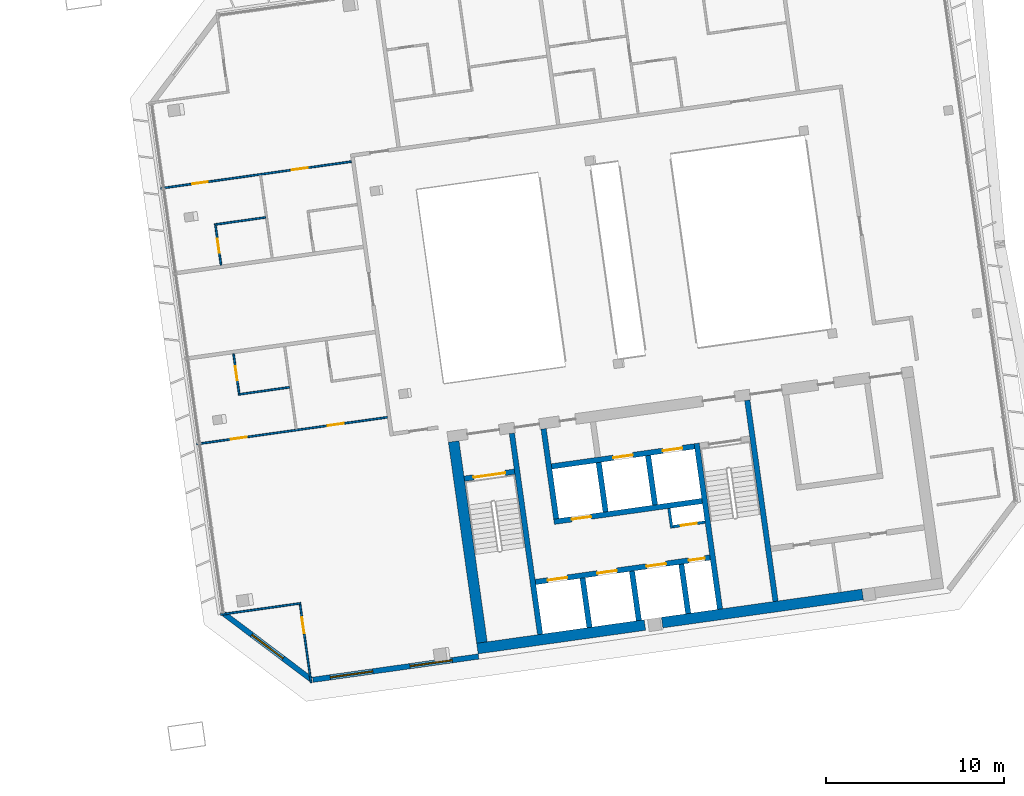
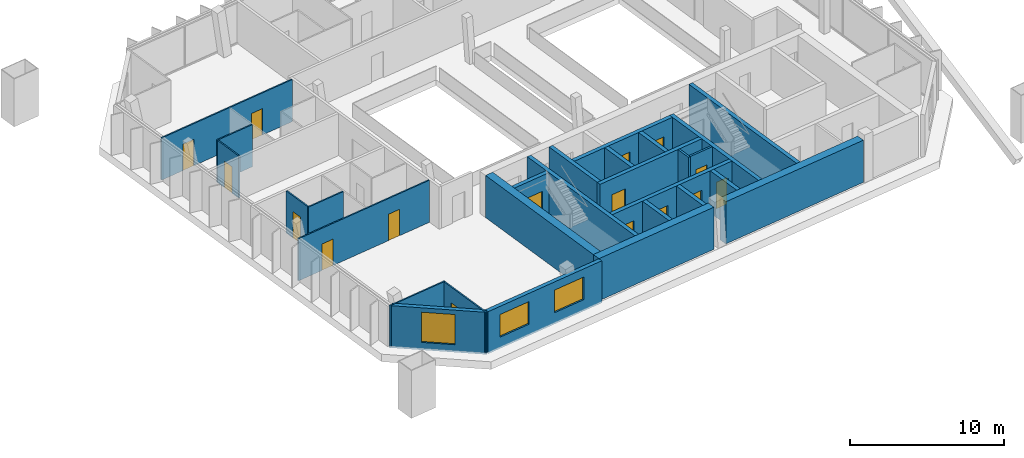
# One storey, part 14 of 19: 28 walls, 16 doors, 3 windows, 19 openings.
"""IFC4 building model written with IfcOpenShell, lengths in metres."""

from ifc_helpers import new_model, si_unit, direction, frame, frame_2d, origin, place, context, subcontext, project, spatial, rectangle, extrude, material, layer, layer_set, type_object, element, fill, save


model = new_model("IFC4")

# Units and contexts
model_context = context("Model", 3, precision=1e-05, world=origin(), true_north=direction((0.0, 1.0)))
body_context = subcontext(model_context, "Body", "Model", "MODEL_VIEW")
ifc_project = project(units=[si_unit("LENGTHUNIT", "METRE"), si_unit("AREAUNIT", "SQUARE_METRE"), si_unit("VOLUMEUNIT", "CUBIC_METRE"), si_unit("PLANEANGLEUNIT", "RADIAN"), si_unit("MASSUNIT", "GRAM", prefix="KILO")], contexts=[model_context])

# Site, building, storey
site_placement = place(None, origin())
site = spatial("IfcSite", under=ifc_project, at=site_placement, CompositionType="ELEMENT")
building_placement = place(site_placement, origin())
building = spatial("IfcBuilding", under=site, at=building_placement, Name="Mirante Cascada Hotel Towers", CompositionType="ELEMENT")
storey_placement = place(building_placement, frame((0.0, 0.0, 239.4)))
storey = spatial("IfcBuildingStorey", under=building, at=storey_placement, Name="L57", CompositionType="ELEMENT", Elevation=239.4)

# Wall
ifc_material_1 = material(Name="Masonry block", Category="masonry")
ifc_layer_1 = layer(ifc_material_1, 0.15)
ifc_layer_set_1 = layer_set([ifc_layer_1], Name="Core room partition 150 block EI 30")
wall_type_1 = type_object("IfcWallType", Name="Core room partition 150 block EI 30", PredefinedType="PARTITIONING", material=ifc_layer_set_1)
wall_1_placement = place(storey_placement, frame((48.2295, -12.793, 0.0), z_axis=(0.0, 0.0, 1.0), x_axis=(-0.1391935, 0.9902652, 0.0)))
element("IfcWall", 1, at=wall_1_placement, inside=storey, type_object=wall_type_1, Name="Core wall partition T2 L57 2", PredefinedType="PARTITIONING", context=body_context, shape_type="SweptSolid", body=[
    extrude(rectangle(XDim=1.1251, YDim=0.15, at=frame_2d((0.5626, 0.0))), origin(), (0.0, 0.0, 1.0), 3.35),
])

# Wall, opening, door
wall_2_placement = place(storey_placement, frame((48.2933, -12.7083, 0.0), z_axis=(0.0, 0.0, 1.0), x_axis=(0.990268, 0.1391734, 0.0)))
wall_2 = element("IfcWall", 2, at=wall_2_placement, inside=storey, type_object=wall_type_1, Name="Core wall partition T2 L57 3", PredefinedType="PARTITIONING", context=body_context, shape_type="SweptSolid", body=[
    extrude(rectangle(XDim=1.8251, YDim=0.15, at=frame_2d((0.9126, 0.0))), origin(), (0.0, 0.0, 1.0), 3.35),
])
opening_1_placement = place(wall_2_placement, frame((0.4625, 0.0, 0.0)))
opening_1 = element("IfcOpeningElement", 3, at=opening_1_placement, cuts=wall_2, Name="Opening D2-57-C15", PredefinedType="OPENING", context=body_context, shape_type="SweptSolid", body=[
    extrude(rectangle(XDim=0.9, YDim=2.1, at=frame_2d((0.45, 1.05))), frame((0.0, 0.075, 0.0), z_axis=(0.0, -1.0, 0.0), x_axis=(1.0, 0.0, 0.0)), (0.0, 0.0, 1.0), 0.15),
])
ifc_material_2 = material(Name="Hollow metal fire door leaf")
door_type_1 = type_object("IfcDoorType", Name="Fire door 900x2100 FD60", OperationType="NOTDEFINED", PredefinedType="DOOR", material=ifc_material_2)
door_1_placement = place(opening_1_placement, frame((0.9, 0.0, 0.0), z_axis=(0.0, 0.0, 1.0), x_axis=(-1.0, 0.0, 0.0)))
door_1 = element("IfcDoor", 4, at=door_1_placement, inside=storey, type_object=door_type_1, Name="Riser door T2 L57 15", OperationType="SINGLE_SWING_RIGHT", OverallHeight=2.1, OverallWidth=0.9, PredefinedType="DOOR", context=body_context, shape_type="SweptSolid", body=[
    extrude(rectangle(XDim=0.9, YDim=2.1, at=frame_2d((0.45, 1.05))), frame((0.0, 0.025, 0.0), z_axis=(0.0, -1.0, 0.0), x_axis=(1.0, 0.0, 0.0)), (0.0, 0.0, 1.0), 0.05),
])
fill(opening_1, door_1)

# Wall
ifc_material_3 = material(Name="Plasterboard on metal studs")
ifc_layer_2 = layer(ifc_material_3, 0.1)
ifc_layer_set_2 = layer_set([ifc_layer_2], Name="Partition 100")
wall_type_2 = type_object("IfcWallType", Name="Partition 100", PredefinedType="PARTITIONING", material=ifc_layer_set_2)
wall_3_placement = place(storey_placement, frame((27.3982, -17.0082, 0.0), z_axis=(0.0, 0.0, 1.0), x_axis=(-0.9902691, -0.1391656, 0.0)))
element("IfcWall", 5, at=wall_3_placement, inside=storey, type_object=wall_type_2, Name="Wall 2-L57-01", PredefinedType="PARTITIONING", context=body_context, shape_type="SweptSolid", body=[
    extrude(rectangle(XDim=4.55, YDim=0.1, at=frame_2d((2.275, 0.0))), origin(), (0.0, 0.0, 1.0), 3.35),
])

# Wall, openings, doors
wall_4_placement = place(storey_placement, frame((32.2571, -6.5636, 0.0), z_axis=(0.0, 0.0, 1.0), x_axis=(-0.990268, -0.1391738, 0.0)))
wall_4 = element("IfcWall", 6, at=wall_4_placement, inside=storey, type_object=wall_type_2, Name="Wall 2-L57-05", PredefinedType="PARTITIONING", context=body_context, shape_type="SweptSolid", body=[
    extrude(rectangle(XDim=10.8153, YDim=0.1, at=frame_2d((5.4076, 0.0))), origin(), (0.0, 0.0, 1.0), 3.35),
])
opening_2_placement = place(wall_4_placement, frame((7.9652, 0.0, 0.0)))
opening_2 = element("IfcOpeningElement", 7, at=opening_2_placement, cuts=wall_4, Name="Opening D2-L57-02", PredefinedType="OPENING", context=body_context, shape_type="SweptSolid", body=[
    extrude(rectangle(XDim=0.9, YDim=2.1, at=frame_2d((0.45, 1.05))), frame((0.0, 0.05, 0.0), z_axis=(0.0, -1.0, 0.0), x_axis=(1.0, 0.0, 0.0)), (0.0, 0.0, 1.0), 0.1),
])
opening_3_placement = place(wall_4_placement, frame((2.4788, 0.0, 0.0)))
opening_3 = element("IfcOpeningElement", 8, at=opening_3_placement, cuts=wall_4, Name="Opening D2-L57-03", PredefinedType="OPENING", context=body_context, shape_type="SweptSolid", body=[
    extrude(rectangle(XDim=0.9, YDim=2.1, at=frame_2d((0.45, 1.05))), frame((0.0, 0.05, 0.0), z_axis=(0.0, -1.0, 0.0), x_axis=(1.0, 0.0, 0.0)), (0.0, 0.0, 1.0), 0.1),
])
ifc_material_4 = material(Name="Timber door leaf", Category="wood")
door_type_2 = type_object("IfcDoorType", Name="Room door DG3 900x2100", OperationType="SINGLE_SWING_LEFT", PredefinedType="DOOR", material=ifc_material_4)
door_2_placement = place(opening_2_placement, origin())
door_2 = element("IfcDoor", 9, at=door_2_placement, inside=storey, type_object=door_type_2, Name="Door D2-L57-02", OperationType="SINGLE_SWING_LEFT", OverallHeight=2.1, OverallWidth=0.9, PredefinedType="DOOR", context=body_context, shape_type="SweptSolid", body=[
    extrude(rectangle(XDim=0.9, YDim=2.1, at=frame_2d((0.45, 1.05))), frame((0.0, 0.025, 0.0), z_axis=(0.0, -1.0, 0.0), x_axis=(1.0, 0.0, 0.0)), (0.0, 0.0, 1.0), 0.05),
])
fill(opening_2, door_2)
door_3_placement = place(opening_3_placement, origin())
door_3 = element("IfcDoor", 10, at=door_3_placement, inside=storey, type_object=door_type_2, Name="Door D2-L57-03", OperationType="SINGLE_SWING_LEFT", OverallHeight=2.1, OverallWidth=0.9, PredefinedType="DOOR", context=body_context, shape_type="SweptSolid", body=[
    extrude(rectangle(XDim=0.9, YDim=2.1, at=frame_2d((0.45, 1.05))), frame((0.0, 0.025, 0.0), z_axis=(0.0, -1.0, 0.0), x_axis=(1.0, 0.0, 0.0)), (0.0, 0.0, 1.0), 0.05),
])
fill(opening_3, door_3)

# Walls
wall_5_placement = place(storey_placement, frame((26.7615, -4.8787, 0.0), z_axis=(0.0, 0.0, 1.0), x_axis=(-0.9902683, -0.1391714, 0.0)))
element("IfcWall", 11, at=wall_5_placement, inside=storey, type_object=wall_type_2, Name="Wall 2-L57-07", PredefinedType="PARTITIONING", context=body_context, shape_type="SweptSolid", body=[
    extrude(rectangle(XDim=2.9, YDim=0.1, at=frame_2d((1.45, 0.0))), origin(), (0.0, 0.0, 1.0), 3.35),
])
wall_6_placement = place(storey_placement, frame((25.4208, 4.6608, 0.0), z_axis=(0.0, 0.0, 1.0), x_axis=(-0.9902676, -0.1391761, 0.0)))
element("IfcWall", 12, at=wall_6_placement, inside=storey, type_object=wall_type_2, Name="Wall 2-L57-11", PredefinedType="PARTITIONING", context=body_context, shape_type="SweptSolid", body=[
    extrude(rectangle(XDim=2.8999, YDim=0.1, at=frame_2d((1.45, 0.0))), origin(), (0.0, 0.0, 1.0), 3.35),
])

# Wall, openings, doors
wall_7_placement = place(storey_placement, frame((30.2391, 7.7953, 0.0), z_axis=(0.0, 0.0, 1.0), x_axis=(-0.990268, -0.1391738, 0.0)))
wall_7 = element("IfcWall", 13, at=wall_7_placement, inside=storey, type_object=wall_type_2, Name="Wall 2-L57-13", PredefinedType="PARTITIONING", context=body_context, shape_type="SweptSolid", body=[
    extrude(rectangle(XDim=10.8153, YDim=0.1, at=frame_2d((5.4076, 0.0))), origin(), (0.0, 0.0, 1.0), 3.35),
])
opening_4_placement = place(wall_7_placement, frame((8.1364, 0.0, 0.0)))
opening_4 = element("IfcOpeningElement", 14, at=opening_4_placement, cuts=wall_7, Name="Opening D2-L57-04", PredefinedType="OPENING", context=body_context, shape_type="SweptSolid", body=[
    extrude(rectangle(XDim=0.9, YDim=2.1, at=frame_2d((0.45, 1.05))), frame((0.0, 0.05, 0.0), z_axis=(0.0, -1.0, 0.0), x_axis=(1.0, 0.0, 0.0)), (0.0, 0.0, 1.0), 0.1),
])
opening_5_placement = place(wall_7_placement, frame((2.4788, 0.0, 0.0)))
opening_5 = element("IfcOpeningElement", 15, at=opening_5_placement, cuts=wall_7, Name="Opening D2-L57-05", PredefinedType="OPENING", context=body_context, shape_type="SweptSolid", body=[
    extrude(rectangle(XDim=0.9, YDim=2.1, at=frame_2d((0.45, 1.05))), frame((0.0, 0.05, 0.0), z_axis=(0.0, -1.0, 0.0), x_axis=(1.0, 0.0, 0.0)), (0.0, 0.0, 1.0), 0.1),
])
door_4_placement = place(opening_4_placement, frame((0.9, 0.0, 0.0), z_axis=(0.0, 0.0, 1.0), x_axis=(-1.0, 0.0, 0.0)))
door_4 = element("IfcDoor", 16, at=door_4_placement, inside=storey, type_object=door_type_2, Name="Door D2-L57-04", OperationType="SINGLE_SWING_RIGHT", OverallHeight=2.1, OverallWidth=0.9, PredefinedType="DOOR", context=body_context, shape_type="SweptSolid", body=[
    extrude(rectangle(XDim=0.9, YDim=2.1, at=frame_2d((0.45, 1.05))), frame((0.0, 0.025, 0.0), z_axis=(0.0, -1.0, 0.0), x_axis=(1.0, 0.0, 0.0)), (0.0, 0.0, 1.0), 0.05),
])
fill(opening_4, door_4)
door_5_placement = place(opening_5_placement, frame((0.9, 0.0, 0.0), z_axis=(0.0, 0.0, 1.0), x_axis=(-1.0, 0.0, 0.0)))
door_5 = element("IfcDoor", 17, at=door_5_placement, inside=storey, type_object=door_type_2, Name="Door D2-L57-05", OperationType="SINGLE_SWING_RIGHT", OverallHeight=2.1, OverallWidth=0.9, PredefinedType="DOOR", context=body_context, shape_type="SweptSolid", body=[
    extrude(rectangle(XDim=0.9, YDim=2.1, at=frame_2d((0.45, 1.05))), frame((0.0, 0.025, 0.0), z_axis=(0.0, -1.0, 0.0), x_axis=(1.0, 0.0, 0.0)), (0.0, 0.0, 1.0), 0.05),
])
fill(opening_5, door_5)

# Wall, opening, door
wall_8_placement = place(storey_placement, frame((23.9323, -5.2259, 0.0), z_axis=(0.0, 0.0, 1.0), x_axis=(-0.1391561, 0.9902705, 0.0)))
wall_8 = element("IfcWall", 18, at=wall_8_placement, inside=storey, type_object=wall_type_2, Name="Wall 2-L57-24", PredefinedType="PARTITIONING", context=body_context, shape_type="SweptSolid", body=[
    extrude(rectangle(XDim=2.25, YDim=0.1, at=frame_2d((1.125, 0.0))), origin(), (0.0, 0.0, 1.0), 3.35),
])
opening_6_placement = place(wall_8_placement, frame((0.75, 0.0, 0.0)))
opening_6 = element("IfcOpeningElement", 19, at=opening_6_placement, cuts=wall_8, Name="Opening D2-L57-16", PredefinedType="OPENING", context=body_context, shape_type="SweptSolid", body=[
    extrude(rectangle(XDim=0.8, YDim=2.1, at=frame_2d((0.4, 1.05))), frame((0.0, 0.05, 0.0), z_axis=(0.0, -1.0, 0.0), x_axis=(1.0, 0.0, 0.0)), (0.0, 0.0, 1.0), 0.1),
])
ifc_material_5 = material(Name="Timber door leaf", Category="wood")
door_type_3 = type_object("IfcDoorType", Name="Bathroom door DG4 800x2100", OperationType="SINGLE_SWING_LEFT", PredefinedType="DOOR", material=ifc_material_5)
door_6_placement = place(opening_6_placement, frame((0.8, 0.0, 0.0), z_axis=(0.0, 0.0, 1.0), x_axis=(-1.0, 0.0, 0.0)))
door_6 = element("IfcDoor", 20, at=door_6_placement, inside=storey, type_object=door_type_3, Name="Door D2-L57-16", OperationType="SINGLE_SWING_RIGHT", OverallHeight=2.1, OverallWidth=0.8, PredefinedType="DOOR", context=body_context, shape_type="SweptSolid", body=[
    extrude(rectangle(XDim=0.8, YDim=2.1, at=frame_2d((0.4, 1.05))), frame((0.0, 0.025, 0.0), z_axis=(0.0, -1.0, 0.0), x_axis=(1.0, 0.0, 0.0)), (0.0, 0.0, 1.0), 0.05),
])
fill(opening_6, door_6)

wall_9_placement = place(storey_placement, frame((22.6055, 4.2147, 0.0), z_axis=(0.0, 0.0, 1.0), x_axis=(0.1391997, -0.9902643, 0.0)))
wall_9 = element("IfcWall", 21, at=wall_9_placement, inside=storey, type_object=wall_type_2, Name="Wall 2-L57-25", PredefinedType="PARTITIONING", context=body_context, shape_type="SweptSolid", body=[
    extrude(rectangle(XDim=2.25, YDim=0.1, at=frame_2d((1.125, 0.0))), origin(), (0.0, 0.0, 1.0), 3.35),
])
opening_7_placement = place(wall_9_placement, frame((0.75, 0.0, 0.0)))
opening_7 = element("IfcOpeningElement", 22, at=opening_7_placement, cuts=wall_9, Name="Opening D2-L57-17", PredefinedType="OPENING", context=body_context, shape_type="SweptSolid", body=[
    extrude(rectangle(XDim=0.8, YDim=2.1, at=frame_2d((0.4, 1.05))), frame((0.0, 0.05, 0.0), z_axis=(0.0, -1.0, 0.0), x_axis=(1.0, 0.0, 0.0)), (0.0, 0.0, 1.0), 0.1),
])
door_7_placement = place(opening_7_placement, origin())
door_7 = element("IfcDoor", 23, at=door_7_placement, inside=storey, type_object=door_type_3, Name="Door D2-L57-17", OperationType="SINGLE_SWING_LEFT", OverallHeight=2.1, OverallWidth=0.8, PredefinedType="DOOR", context=body_context, shape_type="SweptSolid", body=[
    extrude(rectangle(XDim=0.8, YDim=2.1, at=frame_2d((0.4, 1.05))), frame((0.0, 0.025, 0.0), z_axis=(0.0, -1.0, 0.0), x_axis=(1.0, 0.0, 0.0)), (0.0, 0.0, 1.0), 0.05),
])
fill(opening_7, door_7)

wall_10_placement = place(storey_placement, frame((27.975, -21.4713, 0.0), z_axis=(0.0, 0.0, 1.0), x_axis=(-0.1391684, 0.9902687, 0.0)))
wall_10 = element("IfcWall", 24, at=wall_10_placement, inside=storey, type_object=wall_type_2, Name="Wall 2-L57-26", PredefinedType="PARTITIONING", context=body_context, shape_type="SweptSolid", body=[
    extrude(rectangle(XDim=4.45, YDim=0.1, at=frame_2d((2.225, 0.0))), origin(), (0.0, 0.0, 1.0), 3.35),
])
opening_8_placement = place(wall_10_placement, frame((2.8, 0.0, 0.0)))
opening_8 = element("IfcOpeningElement", 25, at=opening_8_placement, cuts=wall_10, Name="Opening D2-L57-18", PredefinedType="OPENING", context=body_context, shape_type="SweptSolid", body=[
    extrude(rectangle(XDim=0.9, YDim=2.1, at=frame_2d((0.45, 1.05))), frame((0.0, 0.05, 0.0), z_axis=(0.0, -1.0, 0.0), x_axis=(1.0, 0.0, 0.0)), (0.0, 0.0, 1.0), 0.1),
])
door_8_placement = place(opening_8_placement, frame((0.9, 0.0, 0.0), z_axis=(0.0, 0.0, 1.0), x_axis=(-1.0, 0.0, 0.0)))
door_8 = element("IfcDoor", 26, at=door_8_placement, inside=storey, type_object=door_type_2, Name="Door D2-L57-18", OperationType="SINGLE_SWING_RIGHT", OverallHeight=2.1, OverallWidth=0.9, PredefinedType="DOOR", context=body_context, shape_type="SweptSolid", body=[
    extrude(rectangle(XDim=0.9, YDim=2.1, at=frame_2d((0.45, 1.05))), frame((0.0, 0.025, 0.0), z_axis=(0.0, -1.0, 0.0), x_axis=(1.0, 0.0, 0.0)), (0.0, 0.0, 1.0), 0.05),
])
fill(opening_8, door_8)

# Wall, openings, windows
ifc_material_6 = material(Name="Precast concrete C40/50", Category="concrete")
ifc_layer_3 = layer(ifc_material_6, 0.3)
ifc_layer_set_3 = layer_set([ifc_layer_3], Name="Precast concrete C40/50 cladding wall 300")
wall_type_3 = type_object("IfcWallType", Name="Precast concrete C40/50 cladding wall 300", PredefinedType="STANDARD", material=ifc_layer_set_3)
wall_11_placement = place(storey_placement, frame((28.077, -21.3055, 0.0), z_axis=(0.0, 0.0, 1.0), x_axis=(0.9902679, 0.1391744, 0.0)))
wall_11 = element("IfcWall", 27, at=wall_11_placement, inside=storey, type_object=wall_type_3, Name="Rear cladding wall T2 L57 1", PredefinedType="STANDARD", context=body_context, shape_type="SweptSolid", body=[
    extrude(rectangle(XDim=9.3911, YDim=0.3, at=frame_2d((4.6956, 0.0))), origin(), (0.0, 0.0, 1.0), 3.35),
])
opening_9_placement = place(wall_11_placement, frame((0.9937, 0.0, 0.9)))
opening_9 = element("IfcOpeningElement", 28, at=opening_9_placement, cuts=wall_11, Name="Opening W2-57-01", PredefinedType="OPENING", context=body_context, shape_type="SweptSolid", body=[
    extrude(rectangle(XDim=2.4, YDim=1.8, at=frame_2d((1.2, 0.9))), frame((0.0, 0.15, 0.0), z_axis=(0.0, -1.0, 0.0), x_axis=(1.0, 0.0, 0.0)), (0.0, 0.0, 1.0), 0.3),
])
opening_10_placement = place(wall_11_placement, frame((5.5051, 0.0, 0.9)))
opening_10 = element("IfcOpeningElement", 29, at=opening_10_placement, cuts=wall_11, Name="Opening W2-57-02", PredefinedType="OPENING", context=body_context, shape_type="SweptSolid", body=[
    extrude(rectangle(XDim=2.4, YDim=1.8, at=frame_2d((1.2, 0.9))), frame((0.0, 0.15, 0.0), z_axis=(0.0, -1.0, 0.0), x_axis=(1.0, 0.0, 0.0)), (0.0, 0.0, 1.0), 0.3),
])
ifc_material_7 = material(Name="Aluminium frame with clear double glazing", Category="aluminium")
window_type_1 = type_object("IfcWindowType", Name="Punched window 2400x1800", PartitioningType="DOUBLE_PANEL_VERTICAL", PredefinedType="WINDOW", material=ifc_material_7)
window_1_placement = place(opening_9_placement, origin())
window_1 = element("IfcWindow", 30, at=window_1_placement, inside=storey, type_object=window_type_1, Name="Window W2-57-01", OverallHeight=1.8, OverallWidth=2.4, PartitioningType="SINGLE_PANEL", PredefinedType="WINDOW", context=body_context, shape_type="SweptSolid", body=[
    extrude(rectangle(XDim=2.4, YDim=1.8, at=frame_2d((1.2, 0.9))), frame((0.0, 0.03, 0.0), z_axis=(0.0, -1.0, 0.0), x_axis=(1.0, 0.0, 0.0)), (0.0, 0.0, 1.0), 0.06),
])
fill(opening_9, window_1)
window_2_placement = place(opening_10_placement, origin())
window_2 = element("IfcWindow", 31, at=window_2_placement, inside=storey, type_object=window_type_1, Name="Window W2-57-02", OverallHeight=1.8, OverallWidth=2.4, PartitioningType="SINGLE_PANEL", PredefinedType="WINDOW", context=body_context, shape_type="SweptSolid", body=[
    extrude(rectangle(XDim=2.4, YDim=1.8, at=frame_2d((1.2, 0.9))), frame((0.0, 0.03, 0.0), z_axis=(0.0, -1.0, 0.0), x_axis=(1.0, 0.0, 0.0)), (0.0, 0.0, 1.0), 0.06),
])
fill(opening_10, window_2)

# Wall, opening, window
wall_12_placement = place(storey_placement, frame((23.0819, -17.5963, 0.0), z_axis=(0.0, 0.0, 1.0), x_axis=(0.7986362, -0.6018141, 0.0)))
wall_12 = element("IfcWall", 32, at=wall_12_placement, inside=storey, type_object=wall_type_3, Name="Corner cladding wall T2 L57 inner rear", PredefinedType="STANDARD", context=body_context, shape_type="SweptSolid", body=[
    extrude(rectangle(XDim=6.1157, YDim=0.3, at=frame_2d((3.0578, 0.0))), origin(), (0.0, 0.0, 1.0), 3.35),
])
opening_11_placement = place(wall_12_placement, frame((1.9578, 0.0, 0.6)))
opening_11 = element("IfcOpeningElement", 33, at=opening_11_placement, cuts=wall_12, Name="Opening W2-57-06", PredefinedType="OPENING", context=body_context, shape_type="SweptSolid", body=[
    extrude(rectangle(XDim=2.2, YDim=2.4, at=frame_2d((1.1, 1.2))), frame((0.0, 0.15, 0.0), z_axis=(0.0, -1.0, 0.0), x_axis=(1.0, 0.0, 0.0)), (0.0, 0.0, 1.0), 0.3),
])
ifc_material_8 = material(Name="Aluminium frame with clear double glazing", Category="aluminium")
window_type_2 = type_object("IfcWindowType", Name="Corner suite window 2200x2400", PartitioningType="DOUBLE_PANEL_VERTICAL", PredefinedType="WINDOW", material=ifc_material_8)
window_3_placement = place(opening_11_placement, origin())
window_3 = element("IfcWindow", 34, at=window_3_placement, inside=storey, type_object=window_type_2, Name="Window W2-57-06", OverallHeight=2.4, OverallWidth=2.2, PartitioningType="SINGLE_PANEL", PredefinedType="WINDOW", context=body_context, shape_type="SweptSolid", body=[
    extrude(rectangle(XDim=2.2, YDim=2.4, at=frame_2d((1.1, 1.2))), frame((0.0, 0.03, 0.0), z_axis=(0.0, -1.0, 0.0), x_axis=(1.0, 0.0, 0.0)), (0.0, 0.0, 1.0), 0.06),
])
fill(opening_11, window_3)

# Walls
ifc_material_9 = material(Name="Concrete C50/60", Category="concrete")
ifc_layer_4 = layer(ifc_material_9, 0.3)
ifc_layer_set_4 = layer_set([ifc_layer_4], Name="RC core wall 300 C50/60")
wall_type_4 = type_object("IfcWallType", Name="RC core wall 300 C50/60", PredefinedType="SHEAR", material=ifc_layer_set_4)
wall_13_placement = place(storey_placement, frame((40.8373, -18.7548, 0.0), z_axis=(0.0, 0.0, 1.0), x_axis=(-0.1391749, 0.9902678, 0.0)))
element("IfcWall", 35, at=wall_13_placement, inside=storey, type_object=wall_type_4, Name="Core wall T2:L57:5", PredefinedType="SHEAR", context=body_context, shape_type="SweptSolid", body=[
    extrude(rectangle(XDim=11.4, YDim=0.3, at=frame_2d((5.7, 0.0))), origin(), (0.0, 0.0, 1.0), 3.35),
])
wall_14_placement = place(storey_placement, frame((50.938, -17.3352, 0.0), z_axis=(0.0, 0.0, 1.0), x_axis=(-0.1391706, 0.9902684, 0.0)))
element("IfcWall", 36, at=wall_14_placement, inside=storey, type_object=wall_type_4, Name="Core wall T2:L57:6", PredefinedType="SHEAR", context=body_context, shape_type="SweptSolid", body=[
    extrude(rectangle(XDim=9.4, YDim=0.3, at=frame_2d((4.7, 0.0))), origin(), (0.0, 0.0, 1.0), 3.35),
])
wall_15_placement = place(storey_placement, frame((54.0574, -16.8968, 0.0), z_axis=(0.0, 0.0, 1.0), x_axis=(-0.1391761, 0.9902677, 0.0)))
element("IfcWall", 37, at=wall_15_placement, inside=storey, type_object=wall_type_4, Name="Core wall T2:L57:7", PredefinedType="SHEAR", context=body_context, shape_type="SweptSolid", body=[
    extrude(rectangle(XDim=11.3999, YDim=0.3, at=frame_2d((5.7, 0.0))), origin(), (0.0, 0.0, 1.0), 3.35),
])

# Wall, opening, door
wall_16_placement = place(storey_placement, frame((36.5791, -10.0123, 0.0), z_axis=(0.0, 0.0, 1.0), x_axis=(0.9902704, 0.1391564, 0.0)))
wall_16 = element("IfcWall", 38, at=wall_16_placement, inside=storey, type_object=wall_type_4, Name="Core wall T2:L57:8", PredefinedType="SHEAR", context=body_context, shape_type="SweptSolid", body=[
    extrude(rectangle(XDim=2.85, YDim=0.3, at=frame_2d((1.425, 0.0))), origin(), (0.0, 0.0, 1.0), 3.35),
])
opening_12_placement = place(wall_16_placement, frame((0.525, 0.0, 0.0)))
opening_12 = element("IfcOpeningElement", 39, at=opening_12_placement, cuts=wall_16, Name="Opening D2-57-C07", PredefinedType="OPENING", context=body_context, shape_type="SweptSolid", body=[
    extrude(rectangle(XDim=1.8, YDim=2.1, at=frame_2d((0.9, 1.05))), frame((0.0, 0.15, 0.0), z_axis=(0.0, -1.0, 0.0), x_axis=(1.0, 0.0, 0.0)), (0.0, 0.0, 1.0), 0.3),
])
ifc_material_10 = material(Name="Hollow metal fire door leaf")
door_type_4 = type_object("IfcDoorType", Name="Double fire door 1800x2100 FD60", OperationType="DOUBLE_DOOR_SINGLE_SWING", PredefinedType="DOOR", material=ifc_material_10)
door_9_placement = place(opening_12_placement, frame((1.8, 0.0, 0.0), z_axis=(0.0, 0.0, 1.0), x_axis=(-1.0, 0.0, 0.0)))
door_9 = element("IfcDoor", 40, at=door_9_placement, inside=storey, type_object=door_type_4, Name="Stair door T2 L57 7", OperationType="DOUBLE_DOOR_SINGLE_SWING", OverallHeight=2.1, OverallWidth=1.8, PredefinedType="DOOR", context=body_context, shape_type="SweptSolid", body=[
    extrude(rectangle(XDim=0.895, YDim=2.1, at=frame_2d((0.4475, 1.05))), frame((0.0, 0.025, 0.0), z_axis=(0.0, -1.0, 0.0), x_axis=(1.0, 0.0, 0.0)), (0.0, 0.0, 1.0), 0.05),
    extrude(rectangle(XDim=0.895, YDim=2.1, at=frame_2d((1.3525, 1.05))), frame((0.0, 0.025, 0.0), z_axis=(0.0, -1.0, 0.0), x_axis=(1.0, 0.0, 0.0)), (0.0, 0.0, 1.0), 0.05),
])
fill(opening_12, door_9)

# Wall, openings, doors
wall_17_placement = place(storey_placement, frame((40.5753, -15.8126, 0.0), z_axis=(0.0, 0.0, 1.0), x_axis=(0.9902682, 0.1391725, 0.0)))
wall_17 = element("IfcWall", 41, at=wall_17_placement, inside=storey, type_object=wall_type_4, Name="Core wall T2:L57:10", PredefinedType="SHEAR", context=body_context, shape_type="SweptSolid", body=[
    extrude(rectangle(XDim=9.8999, YDim=0.3, at=frame_2d((4.95, 0.0))), origin(), (0.0, 0.0, 1.0), 3.35),
])
opening_13_placement = place(wall_17_placement, frame((0.7, 0.0, 0.0)))
opening_13 = element("IfcOpeningElement", 42, at=opening_13_placement, cuts=wall_17, Name="Opening LD", PredefinedType="OPENING", context=body_context, shape_type="SweptSolid", body=[
    extrude(rectangle(XDim=1.1, YDim=2.1, at=frame_2d((0.55, 1.05))), frame((0.0, 0.15, 0.0), z_axis=(0.0, -1.0, 0.0), x_axis=(1.0, 0.0, 0.0)), (0.0, 0.0, 1.0), 0.3),
])
opening_14_placement = place(wall_17_placement, frame((3.5, 0.0, 0.0)))
opening_14 = element("IfcOpeningElement", 43, at=opening_14_placement, cuts=wall_17, Name="Opening LD", PredefinedType="OPENING", context=body_context, shape_type="SweptSolid", body=[
    extrude(rectangle(XDim=1.1, YDim=2.1, at=frame_2d((0.55, 1.05))), frame((0.0, 0.15, 0.0), z_axis=(0.0, -1.0, 0.0), x_axis=(1.0, 0.0, 0.0)), (0.0, 0.0, 1.0), 0.3),
])
opening_15_placement = place(wall_17_placement, frame((6.3, 0.0, 0.0)))
opening_15 = element("IfcOpeningElement", 44, at=opening_15_placement, cuts=wall_17, Name="Opening LD", PredefinedType="OPENING", context=body_context, shape_type="SweptSolid", body=[
    extrude(rectangle(XDim=1.1, YDim=2.1, at=frame_2d((0.55, 1.05))), frame((0.0, 0.15, 0.0), z_axis=(0.0, -1.0, 0.0), x_axis=(1.0, 0.0, 0.0)), (0.0, 0.0, 1.0), 0.3),
])
opening_16_placement = place(wall_17_placement, frame((8.7, 0.0, 0.0)))
opening_16 = element("IfcOpeningElement", 45, at=opening_16_placement, cuts=wall_17, Name="Opening D2-57-C14", PredefinedType="OPENING", context=body_context, shape_type="SweptSolid", body=[
    extrude(rectangle(XDim=0.9, YDim=2.1, at=frame_2d((0.45, 1.05))), frame((0.0, 0.15, 0.0), z_axis=(0.0, -1.0, 0.0), x_axis=(1.0, 0.0, 0.0)), (0.0, 0.0, 1.0), 0.3),
])
door_10_placement = place(opening_16_placement, frame((0.9, 0.0, 0.0), z_axis=(0.0, 0.0, 1.0), x_axis=(-1.0, 0.0, 0.0)))
door_10 = element("IfcDoor", 46, at=door_10_placement, inside=storey, type_object=door_type_1, Name="Riser door T2 L57 14", OperationType="SINGLE_SWING_RIGHT", OverallHeight=2.1, OverallWidth=0.9, PredefinedType="DOOR", context=body_context, shape_type="SweptSolid", body=[
    extrude(rectangle(XDim=0.9, YDim=2.1, at=frame_2d((0.45, 1.05))), frame((0.0, 0.025, 0.0), z_axis=(0.0, -1.0, 0.0), x_axis=(1.0, 0.0, 0.0)), (0.0, 0.0, 1.0), 0.05),
])
fill(opening_16, door_10)
ifc_material_11 = material(Name="Stainless steel", Category="steel")
door_type_5 = type_object("IfcDoorType", Name="Lift landing door 1100x2100 EI 120", OperationType="DOUBLE_DOOR_SLIDING", PredefinedType="DOOR", material=ifc_material_11)
door_11_placement = place(opening_13_placement, origin())
door_11 = element("IfcDoor", 47, at=door_11_placement, inside=storey, type_object=door_type_5, Name="Lift landing door HR2-1 L57", OperationType="DOUBLE_DOOR_SLIDING", OverallHeight=2.1, OverallWidth=1.1, PredefinedType="DOOR", context=body_context, shape_type="SweptSolid", body=[
    extrude(rectangle(XDim=0.545, YDim=2.1, at=frame_2d((0.2725, 1.05))), frame((0.0, 0.025, 0.0), z_axis=(0.0, -1.0, 0.0), x_axis=(1.0, 0.0, 0.0)), (0.0, 0.0, 1.0), 0.05),
    extrude(rectangle(XDim=0.545, YDim=2.1, at=frame_2d((0.8275, 1.05))), frame((0.0, 0.025, 0.0), z_axis=(0.0, -1.0, 0.0), x_axis=(1.0, 0.0, 0.0)), (0.0, 0.0, 1.0), 0.05),
])
fill(opening_13, door_11)
door_12_placement = place(opening_14_placement, origin())
door_12 = element("IfcDoor", 48, at=door_12_placement, inside=storey, type_object=door_type_5, Name="Lift landing door HR2-2 L57", OperationType="DOUBLE_DOOR_SLIDING", OverallHeight=2.1, OverallWidth=1.1, PredefinedType="DOOR", context=body_context, shape_type="SweptSolid", body=[
    extrude(rectangle(XDim=0.545, YDim=2.1, at=frame_2d((0.2725, 1.05))), frame((0.0, 0.025, 0.0), z_axis=(0.0, -1.0, 0.0), x_axis=(1.0, 0.0, 0.0)), (0.0, 0.0, 1.0), 0.05),
    extrude(rectangle(XDim=0.545, YDim=2.1, at=frame_2d((0.8275, 1.05))), frame((0.0, 0.025, 0.0), z_axis=(0.0, -1.0, 0.0), x_axis=(1.0, 0.0, 0.0)), (0.0, 0.0, 1.0), 0.05),
])
fill(opening_14, door_12)
door_13_placement = place(opening_15_placement, origin())
door_13 = element("IfcDoor", 49, at=door_13_placement, inside=storey, type_object=door_type_5, Name="Lift landing door HR2-3 L57", OperationType="DOUBLE_DOOR_SLIDING", OverallHeight=2.1, OverallWidth=1.1, PredefinedType="DOOR", context=body_context, shape_type="SweptSolid", body=[
    extrude(rectangle(XDim=0.545, YDim=2.1, at=frame_2d((0.2725, 1.05))), frame((0.0, 0.025, 0.0), z_axis=(0.0, -1.0, 0.0), x_axis=(1.0, 0.0, 0.0)), (0.0, 0.0, 1.0), 0.05),
    extrude(rectangle(XDim=0.545, YDim=2.1, at=frame_2d((0.8275, 1.05))), frame((0.0, 0.025, 0.0), z_axis=(0.0, -1.0, 0.0), x_axis=(1.0, 0.0, 0.0)), (0.0, 0.0, 1.0), 0.05),
])
fill(opening_15, door_13)

# Wall, opening, door
wall_18_placement = place(storey_placement, frame((41.6153, -12.435, 0.0), z_axis=(0.0, 0.0, 1.0), x_axis=(0.9902691, 0.139166, 0.0)))
wall_18 = element("IfcWall", 50, at=wall_18_placement, inside=storey, type_object=wall_type_4, Name="Core wall T2:L57:11", PredefinedType="SHEAR", context=body_context, shape_type="SweptSolid", body=[
    extrude(rectangle(XDim=8.4, YDim=0.3, at=frame_2d((4.2, 0.0))), origin(), (0.0, 0.0, 1.0), 3.35),
])
opening_17_placement = place(wall_18_placement, frame((1.0, 0.0, 0.0)))
opening_17 = element("IfcOpeningElement", 51, at=opening_17_placement, cuts=wall_18, Name="Opening LD", PredefinedType="OPENING", context=body_context, shape_type="SweptSolid", body=[
    extrude(rectangle(XDim=1.1, YDim=2.1, at=frame_2d((0.55, 1.05))), frame((0.0, 0.15, 0.0), z_axis=(0.0, -1.0, 0.0), x_axis=(1.0, 0.0, 0.0)), (0.0, 0.0, 1.0), 0.3),
])
door_14_placement = place(opening_17_placement, origin())
door_14 = element("IfcDoor", 52, at=door_14_placement, inside=storey, type_object=door_type_5, Name="Lift landing door HR2-4 L57", OperationType="DOUBLE_DOOR_SLIDING", OverallHeight=2.1, OverallWidth=1.1, PredefinedType="DOOR", context=body_context, shape_type="SweptSolid", body=[
    extrude(rectangle(XDim=0.545, YDim=2.1, at=frame_2d((0.2725, 1.05))), frame((0.0, 0.025, 0.0), z_axis=(0.0, -1.0, 0.0), x_axis=(1.0, 0.0, 0.0)), (0.0, 0.0, 1.0), 0.05),
    extrude(rectangle(XDim=0.545, YDim=2.1, at=frame_2d((0.8275, 1.05))), frame((0.0, 0.025, 0.0), z_axis=(0.0, -1.0, 0.0), x_axis=(1.0, 0.0, 0.0)), (0.0, 0.0, 1.0), 0.05),
])
fill(opening_17, door_14)

# Wall, openings, doors
wall_19_placement = place(storey_placement, frame((41.481, -9.3234, 0.0), z_axis=(0.0, 0.0, 1.0), x_axis=(0.9902679, 0.1391741, 0.0)))
wall_19 = element("IfcWall", 53, at=wall_19_placement, inside=storey, type_object=wall_type_4, Name="Core wall T2:L57:12", PredefinedType="SHEAR", context=body_context, shape_type="SweptSolid", body=[
    extrude(rectangle(XDim=8.0999, YDim=0.3, at=frame_2d((4.05, 0.0))), origin(), (0.0, 0.0, 1.0), 3.35),
])
opening_18_placement = place(wall_19_placement, frame((3.5, 0.0, 0.0)))
opening_18 = element("IfcOpeningElement", 54, at=opening_18_placement, cuts=wall_19, Name="Opening LD", PredefinedType="OPENING", context=body_context, shape_type="SweptSolid", body=[
    extrude(rectangle(XDim=1.1, YDim=2.1, at=frame_2d((0.55, 1.05))), frame((0.0, 0.15, 0.0), z_axis=(0.0, -1.0, 0.0), x_axis=(1.0, 0.0, 0.0)), (0.0, 0.0, 1.0), 0.3),
])
opening_19_placement = place(wall_19_placement, frame((6.3, 0.0, 0.0)))
opening_19 = element("IfcOpeningElement", 55, at=opening_19_placement, cuts=wall_19, Name="Opening LD", PredefinedType="OPENING", context=body_context, shape_type="SweptSolid", body=[
    extrude(rectangle(XDim=1.1, YDim=2.1, at=frame_2d((0.55, 1.05))), frame((0.0, 0.15, 0.0), z_axis=(0.0, -1.0, 0.0), x_axis=(1.0, 0.0, 0.0)), (0.0, 0.0, 1.0), 0.3),
])
door_15_placement = place(opening_18_placement, origin())
door_15 = element("IfcDoor", 56, at=door_15_placement, inside=storey, type_object=door_type_5, Name="Lift landing door FF3 L57", OperationType="DOUBLE_DOOR_SLIDING", OverallHeight=2.1, OverallWidth=1.1, PredefinedType="DOOR", context=body_context, shape_type="SweptSolid", body=[
    extrude(rectangle(XDim=0.545, YDim=2.1, at=frame_2d((0.2725, 1.05))), frame((0.0, 0.025, 0.0), z_axis=(0.0, -1.0, 0.0), x_axis=(1.0, 0.0, 0.0)), (0.0, 0.0, 1.0), 0.05),
    extrude(rectangle(XDim=0.545, YDim=2.1, at=frame_2d((0.8275, 1.05))), frame((0.0, 0.025, 0.0), z_axis=(0.0, -1.0, 0.0), x_axis=(1.0, 0.0, 0.0)), (0.0, 0.0, 1.0), 0.05),
])
fill(opening_18, door_15)
door_16_placement = place(opening_19_placement, origin())
door_16 = element("IfcDoor", 57, at=door_16_placement, inside=storey, type_object=door_type_5, Name="Lift landing door FF4 L57", OperationType="DOUBLE_DOOR_SLIDING", OverallHeight=2.1, OverallWidth=1.1, PredefinedType="DOOR", context=body_context, shape_type="SweptSolid", body=[
    extrude(rectangle(XDim=0.545, YDim=2.1, at=frame_2d((0.2725, 1.05))), frame((0.0, 0.025, 0.0), z_axis=(0.0, -1.0, 0.0), x_axis=(1.0, 0.0, 0.0)), (0.0, 0.0, 1.0), 0.05),
    extrude(rectangle(XDim=0.545, YDim=2.1, at=frame_2d((0.8275, 1.05))), frame((0.0, 0.025, 0.0), z_axis=(0.0, -1.0, 0.0), x_axis=(1.0, 0.0, 0.0)), (0.0, 0.0, 1.0), 0.05),
])
fill(opening_19, door_16)

# Walls
wall_20_placement = place(storey_placement, frame((43.61, -18.3651, 0.0), z_axis=(0.0, 0.0, 1.0), x_axis=(-0.1391459, 0.9902719, 0.0)))
element("IfcWall", 58, at=wall_20_placement, inside=storey, type_object=wall_type_4, Name="Core wall T2:L57:13", PredefinedType="SHEAR", context=body_context, shape_type="SweptSolid", body=[
    extrude(rectangle(XDim=2.7999, YDim=0.3, at=frame_2d((1.4, 0.0))), origin(), (0.0, 0.0, 1.0), 3.35),
])
wall_21_placement = place(storey_placement, frame((46.3828, -17.9754, 0.0), z_axis=(0.0, 0.0, 1.0), x_axis=(-0.139181, 0.990267, 0.0)))
element("IfcWall", 59, at=wall_21_placement, inside=storey, type_object=wall_type_4, Name="Core wall T2:L57:14", PredefinedType="SHEAR", context=body_context, shape_type="SweptSolid", body=[
    extrude(rectangle(XDim=2.8, YDim=0.3, at=frame_2d((1.4, 0.0))), origin(), (0.0, 0.0, 1.0), 3.35),
])
wall_22_placement = place(storey_placement, frame((49.1555, -17.5857, 0.0), z_axis=(0.0, 0.0, 1.0), x_axis=(-0.1391459, 0.9902719, 0.0)))
element("IfcWall", 60, at=wall_22_placement, inside=storey, type_object=wall_type_4, Name="Core wall T2:L57:15", PredefinedType="SHEAR", context=body_context, shape_type="SweptSolid", body=[
    extrude(rectangle(XDim=2.7999, YDim=0.3, at=frame_2d((1.4, 0.0))), origin(), (0.0, 0.0, 1.0), 3.35),
])
for number, where, z_axis, x_axis, name in (
    (61, (44.5157, -11.8759, 0.0), (0.0, 0.0, 1.0), (-0.139181, 0.990267, 0.0), "Core wall T2:L57:16"),
    (62, (47.2885, -11.4862, 0.0), (0.0, 0.0, 1.0), (-0.139181, 0.990267, 0.0), "Core wall T2:L57:17"),
):
    element("IfcWall", number, at=place(storey_placement, frame(where, z_axis=z_axis, x_axis=x_axis)), inside=storey, type_object=wall_type_4, Name=name, PredefinedType="SHEAR", context=body_context, shape_type="SweptSolid", body=[
        extrude(rectangle(XDim=2.8, YDim=0.3, at=frame_2d((1.4, 0.0))), origin(), (0.0, 0.0, 1.0), 3.35),
    ])
wall_23_placement = place(storey_placement, frame((41.743, -12.2656, 0.0), z_axis=(0.0, 0.0, 1.0), x_axis=(-0.1391755, 0.9902677, 0.0)))
element("IfcWall", 63, at=wall_23_placement, inside=storey, type_object=wall_type_4, Name="Core wall T2:L57:18", PredefinedType="SHEAR", context=body_context, shape_type="SweptSolid", body=[
    extrude(rectangle(XDim=5.1, YDim=0.3, at=frame_2d((2.55, 0.0))), origin(), (0.0, 0.0, 1.0), 3.35),
])
ifc_material_12 = material(Name="Concrete C50/60", Category="concrete")
ifc_layer_5 = layer(ifc_material_12, 0.6)
ifc_layer_set_5 = layer_set([ifc_layer_5], Name="RC core wall 600 C50/60")
wall_type_5 = type_object("IfcWallType", Name="RC core wall 600 C50/60", PredefinedType="SHEAR", material=ifc_layer_set_5)
wall_24_placement = place(storey_placement, frame((37.3141, -19.5529, 0.0), z_axis=(0.0, 0.0, 1.0), x_axis=(0.9902686, 0.1391692, 0.0)))
element("IfcWall", 64, at=wall_24_placement, inside=storey, type_object=wall_type_5, Name="Core wall T2:L57:1.1", PredefinedType="SHEAR", context=body_context, shape_type="SweptSolid", body=[
    extrude(rectangle(XDim=9.4999, YDim=0.6, at=frame_2d((4.75, 0.0))), origin(), (0.0, 0.0, 1.0), 3.35),
])
wall_25_placement = place(storey_placement, frame((47.6904, -18.0946, 0.0), z_axis=(0.0, 0.0, 1.0), x_axis=(0.9902684, 0.1391705, 0.0)))
element("IfcWall", 65, at=wall_25_placement, inside=storey, type_object=wall_type_5, Name="Core wall T2:L57:1.2", PredefinedType="SHEAR", context=body_context, shape_type="SweptSolid", body=[
    extrude(rectangle(XDim=11.3717, YDim=0.6, at=frame_2d((5.6858, 0.0))), origin(), (0.0, 0.0, 1.0), 3.35),
])
wall_26_placement = place(storey_placement, frame((37.5694, -19.2141, 0.0), z_axis=(0.0, 0.0, 1.0), x_axis=(-0.1391749, 0.9902678, 0.0)))
element("IfcWall", 66, at=wall_26_placement, inside=storey, type_object=wall_type_5, Name="Core wall T2:L57:3", PredefinedType="SHEAR", context=body_context, shape_type="SweptSolid", body=[
    extrude(rectangle(XDim=11.4, YDim=0.6, at=frame_2d((5.7, 0.0))), origin(), (0.0, 0.0, 1.0), 3.35),
])

save(model, "model.ifc")
